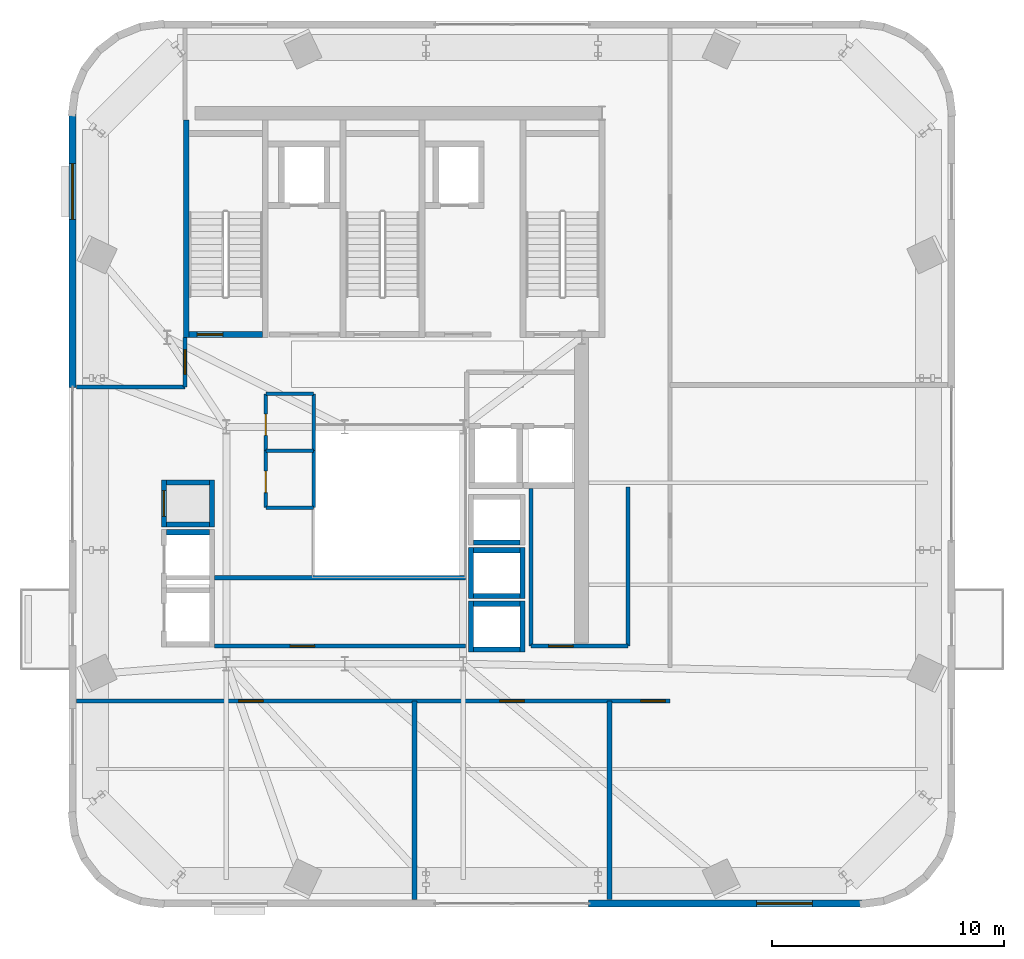
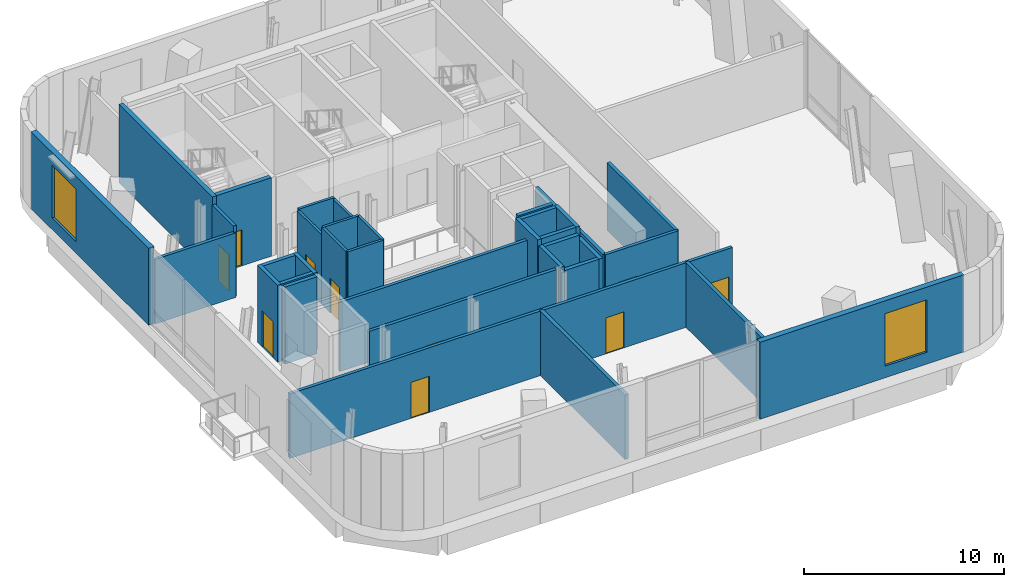
# One storey, part 6 of 11: 35 walls, 10 doors, 2 windows, 12 openings.
"""IFC4 building model written with IfcOpenShell, lengths in metres."""

from ifc_helpers import new_model, si_unit, direction, frame, frame_2d, origin, place, context, subcontext, project, spatial, rectangle, extrude, source, transform, mapped, material, layer, layer_set, type_object, element, fill, save


model = new_model("IFC4")

# Units and contexts
model_context = context("Model", 3, precision=1e-05, world=origin(), true_north=direction((0.0, 1.0)))
body_context = subcontext(model_context, "Body", "Model", "MODEL_VIEW")
ifc_project = project(units=[si_unit("LENGTHUNIT", "METRE"), si_unit("AREAUNIT", "SQUARE_METRE"), si_unit("VOLUMEUNIT", "CUBIC_METRE"), si_unit("PLANEANGLEUNIT", "RADIAN"), si_unit("MASSUNIT", "GRAM", prefix="KILO")], contexts=[model_context])

# Site, building, storey
site_placement = place(None, origin())
site = spatial("IfcSite", under=ifc_project, at=site_placement, CompositionType="ELEMENT")
building_placement = place(site_placement, origin())
building = spatial("IfcBuilding", under=site, at=building_placement, Name="Vardaveli Station Tower", CompositionType="ELEMENT")
storey_placement = place(building_placement, frame((0.0, 0.0, 286.14990234375)))
storey = spatial("IfcBuildingStorey", under=building, at=storey_placement, Name="L73", CompositionType="ELEMENT", Elevation=286.14990234375)

# Wall, opening, window
ifc_material_1 = material(Name="Precast concrete C45/55", Category="concrete")
ifc_layer_1 = layer(ifc_material_1, 0.320068359375, Name="Precast concrete C45/55")
ifc_layer_set_1 = layer_set([ifc_layer_1], Name="Precast concrete C45/55")
wall_type_1 = type_object("IfcWallType", Name="WAL-EXT-STONE-320", PredefinedType="SOLIDWALL", material=ifc_layer_set_1)
shared_shape_1 = source(origin(), body_context, "Body", "SweptSolid", [
    extrude(rectangle(XDim=11.77294921875, YDim=0.320068359375, at=frame_2d((5.886474609375, 0.0))), origin(), (0.0, 0.0, 1.0), 4.7001953125),
])
wall_1_placement = place(storey_placement, frame((46.800048828125, 6.280029296875, 0.0), z_axis=(0.0, 0.0, 1.0), x_axis=(1.0, 0.0, 0.0)))
wall_1 = element("IfcWall", 1, at=wall_1_placement, inside=storey, type_object=wall_type_1, Name="EW-L73-S2", PredefinedType="SOLIDWALL", context=body_context, shape_type="MappedRepresentation", body=[
    mapped(shared_shape_1, transform((0.0, 0.0, 0.0), scale=1.0)),
])
shared_shape_2 = source(origin(), body_context, "Body", "SweptSolid", [
    extrude(rectangle(XDim=2.39990234375, YDim=3.199951171875, at=frame_2d((1.199951171875, 1.60009765625))), frame((0.0, 0.169921875, 0.0), z_axis=(0.0, -1.0, 0.0), x_axis=(1.0, 0.0, 0.0)), (0.0, 0.0, 1.0), 0.340087890625),
])
opening_1_placement = place(wall_1_placement, frame((7.2333984375, 0.0, 0.719970703125)))
opening_1 = element("IfcOpeningElement", 2, at=opening_1_placement, cuts=wall_1, Name="Opening W-06", PredefinedType="OPENING", context=body_context, shape_type="MappedRepresentation", body=[
    mapped(shared_shape_2, transform((0.0, 0.0, 0.0), scale=1.0)),
])
ifc_material_2 = material(Name="Low-iron tempered belvedere glass", Category="glass")
window_type = type_object("IfcWindowType", Name="WIN-OBS-2400x3200", PartitioningType="SINGLE_PANEL", PredefinedType="WINDOW", material=ifc_material_2)
shared_shape_3 = source(origin(), body_context, "Body", "SweptSolid", [
    extrude(rectangle(XDim=2.39990234375, YDim=3.199951171875, at=frame_2d((1.199951171875, 1.60009765625))), frame((0.0, 0.030029296875, 0.0), z_axis=(0.0, -1.0, 0.0), x_axis=(1.0, 0.0, 0.0)), (0.0, 0.0, 1.0), 0.06005859375),
])
window_1_placement = place(opening_1_placement, origin())
window_1 = element("IfcWindow", 3, at=window_1_placement, inside=storey, type_object=window_type, Name="WN-L73-S2", OverallHeight=3.199951171875, OverallWidth=2.39990234375, PartitioningType="SINGLE_PANEL", PredefinedType="WINDOW", context=body_context, shape_type="MappedRepresentation", body=[
    mapped(shared_shape_3, transform((0.0, 0.0, 0.0), scale=1.0)),
])
fill(opening_1, window_1)

wall_2_placement = place(storey_placement, frame((24.580078125, 40.27294921875, 0.0), z_axis=(0.0, 0.0, 1.0), x_axis=(0.0, -1.0, 0.0)))
wall_2 = element("IfcWall", 4, at=wall_2_placement, inside=storey, type_object=wall_type_1, Name="EW-L73-W1", PredefinedType="SOLIDWALL", context=body_context, shape_type="MappedRepresentation", body=[
    mapped(shared_shape_1, transform((0.0, 0.0, 0.0), scale=1.0)),
])
opening_2_placement = place(wall_2_placement, frame((2.1396484375, 0.0, 0.719970703125)))
opening_2 = element("IfcOpeningElement", 5, at=opening_2_placement, cuts=wall_2, Name="Opening W-06", PredefinedType="OPENING", context=body_context, shape_type="MappedRepresentation", body=[
    mapped(shared_shape_2, transform((0.0, 0.0, 0.0), scale=1.0)),
])
window_2_placement = place(opening_2_placement, origin())
window_2 = element("IfcWindow", 6, at=window_2_placement, inside=storey, type_object=window_type, Name="WN-L73-W1", OverallHeight=3.199951171875, OverallWidth=2.39990234375, PartitioningType="SINGLE_PANEL", PredefinedType="WINDOW", context=body_context, shape_type="MappedRepresentation", body=[
    mapped(shared_shape_3, transform((0.0, 0.0, 0.0), scale=1.0)),
])
fill(opening_2, window_2)

# Wall, opening, door
ifc_material_3 = material(Name="Concrete C40/50", Category="concrete")
ifc_layer_2 = layer(ifc_material_3, 0.25, Name="Concrete C40/50")
ifc_layer_set_2 = layer_set([ifc_layer_2], Name="Concrete C40/50")
wall_type_2 = type_object("IfcWallType", Name="WAL-SHAFT-250", PredefinedType="SOLIDWALL", material=ifc_layer_set_2)
shared_shape_4 = source(origin(), body_context, "Body", "SweptSolid", [
    extrude(rectangle(XDim=3.14990234375, YDim=0.25, at=frame_2d((1.574951171875, 0.0))), origin(), (0.0, 0.0, 1.0), 4.800048828125),
])
wall_3_placement = place(storey_placement, frame((29.60009765625, 30.77490234375, 0.0), z_axis=(0.0, 0.0, 1.0), x_axis=(1.0, 0.0, 0.0)))
wall_3 = element("IfcWall", 7, at=wall_3_placement, inside=storey, type_object=wall_type_2, Name="W-L73-ST-1S", PredefinedType="SOLIDWALL", context=body_context, shape_type="MappedRepresentation", body=[
    mapped(shared_shape_4, transform((0.0, 0.0, 0.0), scale=1.0)),
])
shared_shape_5 = source(origin(), body_context, "Body", "SweptSolid", [
    extrude(rectangle(XDim=1.10009765625, YDim=2.199951171875, at=frame_2d((0.550048828125, 1.10009765625))), frame((0.0, 0.135009765625, 0.0), z_axis=(0.0, -1.0, 0.0), x_axis=(1.0, 0.0, 0.0)), (0.0, 0.0, 1.0), 0.27001953125),
])
opening_3_placement = place(wall_3_placement, frame((0.35009765625, 0.0, 0.0)))
opening_3 = element("IfcOpeningElement", 8, at=opening_3_placement, cuts=wall_3, Name="Opening D-04", PredefinedType="OPENING", context=body_context, shape_type="MappedRepresentation", body=[
    mapped(shared_shape_5, transform((0.0, 0.0, 0.0), scale=1.0)),
])
ifc_material_4 = material(Name="Steel smokeproof fire doorset", Category="steel")
door_type_1 = type_object("IfcDoorType", Name="DR-ST-1100x2200", OperationType="NOTDEFINED", PredefinedType="DOOR", material=ifc_material_4)
shared_shape_6 = source(origin(), body_context, "Body", "SweptSolid", [
    extrude(rectangle(XDim=1.10009765625, YDim=2.199951171875, at=frame_2d((0.550048828125, 1.10009765625))), frame((0.0, 0.02490234375, 0.0), z_axis=(0.0, -1.0, 0.0), x_axis=(1.0, 0.0, 0.0)), (0.0, 0.0, 1.0), 0.050048828125),
])
door_1_placement = place(opening_3_placement, origin())
door_1 = element("IfcDoor", 9, at=door_1_placement, inside=storey, type_object=door_type_1, Name="DST-1-L73", OperationType="SINGLE_SWING_LEFT", OverallHeight=2.199951171875, OverallWidth=1.10009765625, PredefinedType="DOOR", context=body_context, shape_type="MappedRepresentation", body=[
    mapped(shared_shape_6, transform((0.0, 0.0, 0.0), scale=1.0)),
])
fill(opening_3, door_1)

# Walls
shared_shape_7 = source(origin(), body_context, "Body", "SweptSolid", [
    extrude(rectangle(XDim=9.35009765625, YDim=0.25, at=frame_2d((4.675048828125, 0.0))), origin(), (0.0, 0.0, 1.0), 4.800048828125),
])
wall_4_placement = place(storey_placement, frame((29.47509765625, 30.64990234375, 0.0), z_axis=(0.0, 0.0, 1.0), x_axis=(0.0, 1.0, 0.0)))
element("IfcWall", 10, at=wall_4_placement, inside=storey, type_object=wall_type_2, Name="W-L73-ST-1W", PredefinedType="SOLIDWALL", context=body_context, shape_type="MappedRepresentation", body=[
    mapped(shared_shape_7, transform((0.0, 0.0, 0.0), scale=1.0)),
])
ifc_layer_3 = layer(ifc_material_3, 0.219970703125, Name="Concrete C40/50")
ifc_layer_set_3 = layer_set([ifc_layer_3], Name="Concrete C40/50")
wall_type_3 = type_object("IfcWallType", Name="WAL-FFLOBBY-220", PredefinedType="SOLIDWALL", material=ifc_layer_set_3)
shared_shape_8 = source(origin(), body_context, "Body", "SweptSolid", [
    extrude(rectangle(XDim=2.0, YDim=0.219970703125, at=frame_2d((1.0, 0.0))), origin(), (0.0, 0.0, 1.0), 4.7001953125),
])
for number, where, z_axis, x_axis, name in (
    (11, (41.85009765625, 21.81494140625, 0.0), (0.0, 0.0, 1.0), (1.0, 0.0, 0.0), "SHW-HL3-01-L73-S"),
    (12, (41.85009765625, 19.514892578125, 0.0), (0.0, 0.0, 1.0), (1.0, 0.0, 0.0), "SHW-HL3-02-L73-S"),
    (13, (41.85009765625, 21.485107421875, 0.0), (0.0, 0.0, 1.0), (1.0, 0.0, 0.0), "SHW-HL3-02-L73-N"),
):
    element("IfcWall", number, at=place(storey_placement, frame(where, z_axis=z_axis, x_axis=x_axis)), inside=storey, type_object=wall_type_3, Name=name, PredefinedType="SOLIDWALL", context=body_context, shape_type="MappedRepresentation", body=[
        mapped(shared_shape_8, transform((0.0, 0.0, 0.0), scale=1.0)),
    ])
shared_shape_9 = source(origin(), body_context, "Body", "SweptSolid", [
    extrude(rectangle(XDim=2.18994140625, YDim=0.219970703125, at=frame_2d((1.094970703125, 0.0))), origin(), (0.0, 0.0, 1.0), 4.422119140625),
])
wall_5_placement = place(storey_placement, frame((41.739990234375, 17.10498046875, 0.0), z_axis=(0.0, 0.0, 1.0), x_axis=(0.0, 1.0, 0.0)))
element("IfcWall", 14, at=wall_5_placement, inside=storey, type_object=wall_type_3, Name="SHW-HL3-03-L73-W", PredefinedType="SOLIDWALL", context=body_context, shape_type="MappedRepresentation", body=[
    mapped(shared_shape_9, transform((0.0, 0.0, 0.0), scale=1.0)),
])
shared_shape_10 = source(origin(), body_context, "Body", "SweptSolid", [
    extrude(rectangle(XDim=2.18994140625, YDim=0.219970703125, at=frame_2d((1.094970703125, 0.0))), origin(), (0.0, 0.0, 1.0), 4.7001953125),
])
for number, where, z_axis, x_axis, name in (
    (15, (41.739990234375, 19.405029296875, 0.0), (0.0, 0.0, 1.0), (0.0, 1.0, 0.0), "SHW-HL3-02-L73-W"),
    (16, (43.9599609375, 19.405029296875, 0.0), (0.0, 0.0, 1.0), (0.0, 1.0, 0.0), "SHW-HL3-02-L73-E"),
):
    element("IfcWall", number, at=place(storey_placement, frame(where, z_axis=z_axis, x_axis=x_axis)), inside=storey, type_object=wall_type_3, Name=name, PredefinedType="SOLIDWALL", context=body_context, shape_type="MappedRepresentation", body=[
        mapped(shared_shape_10, transform((0.0, 0.0, 0.0), scale=1.0)),
    ])
shared_shape_11 = source(origin(), body_context, "Body", "SweptSolid", [
    extrude(rectangle(XDim=2.0, YDim=0.219970703125, at=frame_2d((1.0, 0.0))), origin(), (0.0, 0.0, 1.0), 4.14208984375),
])
wall_6_placement = place(storey_placement, frame((41.85009765625, 17.215087890625, 0.0), z_axis=(0.0, 0.0, 1.0), x_axis=(1.0, 0.0, 0.0)))
element("IfcWall", 17, at=wall_6_placement, inside=storey, type_object=wall_type_3, Name="SHW-HL3-03-L73-S", PredefinedType="SOLIDWALL", context=body_context, shape_type="MappedRepresentation", body=[
    mapped(shared_shape_11, transform((0.0, 0.0, 0.0), scale=1.0)),
])
shared_shape_12 = source(origin(), body_context, "Body", "SweptSolid", [
    extrude(rectangle(XDim=2.0, YDim=0.219970703125, at=frame_2d((1.0, 0.0))), origin(), (0.0, 0.0, 1.0), 4.422119140625),
])
wall_7_placement = place(storey_placement, frame((41.85009765625, 19.18505859375, 0.0), z_axis=(0.0, 0.0, 1.0), x_axis=(1.0, 0.0, 0.0)))
element("IfcWall", 18, at=wall_7_placement, inside=storey, type_object=wall_type_3, Name="SHW-HL3-03-L73-N", PredefinedType="SOLIDWALL", context=body_context, shape_type="MappedRepresentation", body=[
    mapped(shared_shape_12, transform((0.0, 0.0, 0.0), scale=1.0)),
])
shared_shape_13 = source(origin(), body_context, "Body", "SweptSolid", [
    extrude(rectangle(XDim=2.18994140625, YDim=0.219970703125, at=frame_2d((1.094970703125, 0.0))), origin(), (0.0, 0.0, 1.0), 4.14208984375),
])
wall_8_placement = place(storey_placement, frame((43.9599609375, 17.10498046875, 0.0), z_axis=(0.0, 0.0, 1.0), x_axis=(0.0, 1.0, 0.0)))
element("IfcWall", 19, at=wall_8_placement, inside=storey, type_object=wall_type_3, Name="SHW-HL3-03-L73-E", PredefinedType="SOLIDWALL", context=body_context, shape_type="MappedRepresentation", body=[
    mapped(shared_shape_13, transform((0.0, 0.0, 0.0), scale=1.0)),
])
shared_shape_14 = source(origin(), body_context, "Body", "SweptSolid", [
    extrude(rectangle(XDim=1.85009765625, YDim=0.219970703125, at=frame_2d((0.925048828125, 0.0))), origin(), (0.0, 0.0, 1.0), 4.7001953125),
])
for number, where, z_axis, x_axis, name in (
    (20, (28.625, 22.260009765625, 0.0), (0.0, 0.0, 1.0), (1.0, 0.0, 0.0), "SHW-OBS-02-L73-N"),
    (21, (28.625, 22.590087890625, 0.0), (0.0, 0.0, 1.0), (1.0, 0.0, 0.0), "SHW-CRN-01-L73-S"),
    (22, (28.625, 24.409912109375, 0.0), (0.0, 0.0, 1.0), (1.0, 0.0, 0.0), "SHW-CRN-01-L73-N"),
):
    element("IfcWall", number, at=place(storey_placement, frame(where, z_axis=z_axis, x_axis=x_axis)), inside=storey, type_object=wall_type_3, Name=name, PredefinedType="SOLIDWALL", context=body_context, shape_type="MappedRepresentation", body=[
        mapped(shared_shape_14, transform((0.0, 0.0, 0.0), scale=1.0)),
    ])

# Wall, opening, door
shared_shape_15 = source(origin(), body_context, "Body", "SweptSolid", [
    extrude(rectangle(XDim=2.0400390625, YDim=0.219970703125, at=frame_2d((1.02001953125, 0.0))), origin(), (0.0, 0.0, 1.0), 4.7001953125),
])
wall_9_placement = place(storey_placement, frame((28.514892578125, 22.47998046875, 0.0), z_axis=(0.0, 0.0, 1.0), x_axis=(0.0, 1.0, 0.0)))
wall_9 = element("IfcWall", 23, at=wall_9_placement, inside=storey, type_object=wall_type_3, Name="SHW-CRN-01-L73-W", PredefinedType="SOLIDWALL", context=body_context, shape_type="MappedRepresentation", body=[
    mapped(shared_shape_15, transform((0.0, 0.0, 0.0), scale=1.0)),
])
shared_shape_16 = source(origin(), body_context, "Body", "SweptSolid", [
    extrude(rectangle(XDim=1.10009765625, YDim=2.199951171875, at=frame_2d((0.550048828125, 1.10009765625))), frame((0.0, 0.1201171875, 0.0), z_axis=(0.0, -1.0, 0.0), x_axis=(1.0, 0.0, 0.0)), (0.0, 0.0, 1.0), 0.239990234375),
])
opening_4_placement = place(wall_9_placement, frame((0.469970703125, 0.0, 0.0)))
opening_4 = element("IfcOpeningElement", 24, at=opening_4_placement, cuts=wall_9, Name="Opening LD-01", PredefinedType="OPENING", context=body_context, shape_type="MappedRepresentation", body=[
    mapped(shared_shape_16, transform((0.0, 0.0, 0.0), scale=1.0)),
])
ifc_material_5 = material(Name="Brushed stainless steel", Category="steel")
door_type_2 = type_object("IfcDoorType", Name="DR-LD-1100x2200", OperationType="DOUBLE_DOOR_SLIDING", PredefinedType="DOOR", material=ifc_material_5)
door_2_placement = place(opening_4_placement, origin())
door_2 = element("IfcDoor", 25, at=door_2_placement, inside=storey, type_object=door_type_2, Name="LD-CRN-01-L73", OperationType="DOUBLE_DOOR_SLIDING", OverallHeight=2.199951171875, OverallWidth=1.10009765625, PredefinedType="DOOR", context=body_context, shape_type="MappedRepresentation", body=[
    mapped(shared_shape_6, transform((0.0, 0.0, 0.0), scale=1.0)),
])
fill(opening_4, door_2)

# Wall
wall_10_placement = place(storey_placement, frame((30.5849609375, 22.47998046875, 0.0), z_axis=(0.0, 0.0, 1.0), x_axis=(0.0, 1.0, 0.0)))
element("IfcWall", 26, at=wall_10_placement, inside=storey, type_object=wall_type_3, Name="SHW-CRN-01-L73-E", PredefinedType="SOLIDWALL", context=body_context, shape_type="MappedRepresentation", body=[
    mapped(shared_shape_15, transform((0.0, 0.0, 0.0), scale=1.0)),
])

# Wall, openings, doors
ifc_material_6 = material(Name="Fire-rated gypsum stud partition")
ifc_layer_4 = layer(ifc_material_6, 0.179931640625, Name="Fire-rated gypsum stud partition")
ifc_layer_set_4 = layer_set([ifc_layer_4], Name="Fire-rated gypsum stud partition")
wall_type_4 = type_object("IfcWallType", Name="WAL-CORR-180", PredefinedType="PARTITIONING", material=ifc_layer_set_4)
shared_shape_17 = source(origin(), body_context, "Body", "SweptSolid", [
    extrude(rectangle(XDim=25.55810546875, YDim=0.179931640625, at=frame_2d((12.779052734375, 0.0))), origin(), (0.0, 0.0, 1.0), 3.942138671875),
])
wall_11_placement = place(storey_placement, frame((24.741943359375, 15.0, 0.0), z_axis=(0.0, 0.0, 1.0), x_axis=(1.0, 0.0, 0.0)))
wall_11 = element("IfcWall", 27, at=wall_11_placement, inside=storey, type_object=wall_type_4, Name="W-L73-CS", PredefinedType="PARTITIONING", context=body_context, shape_type="MappedRepresentation", body=[
    mapped(shared_shape_17, transform((0.0, 0.0, 0.0), scale=1.0)),
])
shared_shape_18 = source(origin(), body_context, "Body", "SweptSolid", [
    extrude(rectangle(XDim=1.050048828125, YDim=2.199951171875, at=frame_2d((0.52490234375, 1.10009765625))), frame((0.0, 0.10009765625, 0.0), z_axis=(0.0, -1.0, 0.0), x_axis=(1.0, 0.0, 0.0)), (0.0, 0.0, 1.0), 0.199951171875),
])
opening_5_placement = place(wall_11_placement, frame((6.992919921875, 0.0, 0.0)))
opening_5 = element("IfcOpeningElement", 28, at=opening_5_placement, cuts=wall_11, Name="Opening D-05", PredefinedType="OPENING", context=body_context, shape_type="MappedRepresentation", body=[
    mapped(shared_shape_18, transform((0.0, 0.0, 0.0), scale=1.0)),
])
opening_6_placement = place(wall_11_placement, frame((18.238037109375, 0.0, 0.0)))
opening_6 = element("IfcOpeningElement", 29, at=opening_6_placement, cuts=wall_11, Name="Opening D-05", PredefinedType="OPENING", context=body_context, shape_type="MappedRepresentation", body=[
    mapped(shared_shape_18, transform((0.0, 0.0, 0.0), scale=1.0)),
])
opening_7_placement = place(wall_11_placement, frame((24.30810546875, 0.0, 0.0)))
opening_7 = element("IfcOpeningElement", 30, at=opening_7_placement, cuts=wall_11, Name="Opening D-05", PredefinedType="OPENING", context=body_context, shape_type="MappedRepresentation", body=[
    mapped(shared_shape_18, transform((0.0, 0.0, 0.0), scale=1.0)),
])
ifc_material_7 = material(Name="Walnut veneer acoustic fire door")
door_type_3 = type_object("IfcDoorType", Name="DR-SUITE-1050x2200", OperationType="NOTDEFINED", PredefinedType="DOOR", material=ifc_material_7)
shared_shape_19 = source(origin(), body_context, "Body", "SweptSolid", [
    extrude(rectangle(XDim=1.050048828125, YDim=2.199951171875, at=frame_2d((0.52490234375, 1.10009765625))), frame((0.0, 0.02490234375, 0.0), z_axis=(0.0, -1.0, 0.0), x_axis=(1.0, 0.0, 0.0)), (0.0, 0.0, 1.0), 0.050048828125),
])
door_3_placement = place(opening_5_placement, origin())
door_3 = element("IfcDoor", 31, at=door_3_placement, inside=storey, type_object=door_type_3, Name="D-L73-OB1", OperationType="SINGLE_SWING_RIGHT", OverallHeight=2.199951171875, OverallWidth=1.050048828125, PredefinedType="DOOR", context=body_context, shape_type="MappedRepresentation", body=[
    mapped(shared_shape_19, transform((0.0, 0.0, 0.0), scale=1.0)),
])
fill(opening_5, door_3)
door_4_placement = place(opening_6_placement, origin())
door_4 = element("IfcDoor", 32, at=door_4_placement, inside=storey, type_object=door_type_3, Name="D-L73-OB2", OperationType="SINGLE_SWING_LEFT", OverallHeight=2.199951171875, OverallWidth=1.050048828125, PredefinedType="DOOR", context=body_context, shape_type="MappedRepresentation", body=[
    mapped(shared_shape_19, transform((0.0, 0.0, 0.0), scale=1.0)),
])
fill(opening_6, door_4)
door_5_placement = place(opening_7_placement, origin())
door_5 = element("IfcDoor", 33, at=door_5_placement, inside=storey, type_object=door_type_3, Name="D-L73-OB3", OperationType="SINGLE_SWING_RIGHT", OverallHeight=2.199951171875, OverallWidth=1.050048828125, PredefinedType="DOOR", context=body_context, shape_type="MappedRepresentation", body=[
    mapped(shared_shape_19, transform((0.0, 0.0, 0.0), scale=1.0)),
])
fill(opening_7, door_5)

# Wall, opening, door
shared_shape_20 = source(origin(), body_context, "Body", "SweptSolid", [
    extrude(rectangle(XDim=2.1298828125, YDim=0.179931640625, at=frame_2d((1.06494140625, 0.0))), origin(), (0.0, 0.0, 1.0), 4.33203125),
])
wall_12_placement = place(storey_placement, frame((29.419921875, 28.52001953125, 0.0), z_axis=(0.0, 0.0, 1.0), x_axis=(0.0, 1.0, 0.0)))
wall_12 = element("IfcWall", 34, at=wall_12_placement, inside=storey, type_object=wall_type_4, Name="W-L73-OBNW-E-P1", PredefinedType="PARTITIONING", context=body_context, shape_type="MappedRepresentation", body=[
    mapped(shared_shape_20, transform((0.0, 0.0, 0.0), scale=1.0)),
])
opening_8_placement = place(wall_12_placement, frame((0.550048828125, 0.0, 0.0)))
opening_8 = element("IfcOpeningElement", 35, at=opening_8_placement, cuts=wall_12, Name="Opening D-05", PredefinedType="OPENING", context=body_context, shape_type="MappedRepresentation", body=[
    mapped(shared_shape_18, transform((0.0, 0.0, 0.0), scale=1.0)),
])
door_6_placement = place(opening_8_placement, origin())
door_6 = element("IfcDoor", 36, at=door_6_placement, inside=storey, type_object=door_type_3, Name="D-L73-OBNW", OperationType="SINGLE_SWING_LEFT", OverallHeight=2.199951171875, OverallWidth=1.050048828125, PredefinedType="DOOR", context=body_context, shape_type="MappedRepresentation", body=[
    mapped(shared_shape_19, transform((0.0, 0.0, 0.0), scale=1.0)),
])
fill(opening_8, door_6)

shared_shape_21 = source(origin(), body_context, "Body", "SweptSolid", [
    extrude(rectangle(XDim=10.802978515625, YDim=0.179931640625, at=frame_2d((5.4013671875, 0.0))), origin(), (0.0, 0.0, 1.0), 4.2421875),
])
wall_13_placement = place(storey_placement, frame((30.697021484375, 17.360107421875, 0.0), z_axis=(0.0, 0.0, 1.0), x_axis=(1.0, 0.0, 0.0)))
wall_13 = element("IfcWall", 37, at=wall_13_placement, inside=storey, type_object=wall_type_4, Name="W-L73-OBSA-S", PredefinedType="PARTITIONING", context=body_context, shape_type="MappedRepresentation", body=[
    mapped(shared_shape_21, transform((0.0, 0.0, 0.0), scale=1.0)),
])
opening_9_placement = place(wall_13_placement, frame((3.2529296875, 0.0, 0.0)))
opening_9 = element("IfcOpeningElement", 38, at=opening_9_placement, cuts=wall_13, Name="Opening D-05", PredefinedType="OPENING", context=body_context, shape_type="MappedRepresentation", body=[
    mapped(shared_shape_18, transform((0.0, 0.0, 0.0), scale=1.0)),
])
door_7_placement = place(opening_9_placement, origin())
door_7 = element("IfcDoor", 39, at=door_7_placement, inside=storey, type_object=door_type_3, Name="D-L73-OBSA", OperationType="SINGLE_SWING_RIGHT", OverallHeight=2.199951171875, OverallWidth=1.050048828125, PredefinedType="DOOR", context=body_context, shape_type="MappedRepresentation", body=[
    mapped(shared_shape_19, transform((0.0, 0.0, 0.0), scale=1.0)),
])
fill(opening_9, door_7)

# Wall
wall_14_placement = place(storey_placement, frame((30.697021484375, 20.300048828125, 0.0), z_axis=(0.0, 0.0, 1.0), x_axis=(1.0, 0.0, 0.0)))
element("IfcWall", 40, at=wall_14_placement, inside=storey, type_object=wall_type_4, Name="W-L73-OBSA-N-P2", PredefinedType="PARTITIONING", context=body_context, shape_type="MappedRepresentation", body=[
    mapped(shared_shape_21, transform((0.0, 0.0, 0.0), scale=1.0)),
])

# Wall, opening, door
shared_shape_22 = source(origin(), body_context, "Body", "SweptSolid", [
    extrude(rectangle(XDim=4.179931640625, YDim=0.179931640625, at=frame_2d((2.08984375, 0.0))), origin(), (0.0, 0.0, 1.0), 4.14208984375),
])
wall_15_placement = place(storey_placement, frame((44.320068359375, 17.360107421875, 0.0), z_axis=(0.0, 0.0, 1.0), x_axis=(1.0, 0.0, 0.0)))
wall_15 = element("IfcWall", 41, at=wall_15_placement, inside=storey, type_object=wall_type_4, Name="W-L73-OBEA-S", PredefinedType="PARTITIONING", context=body_context, shape_type="MappedRepresentation", body=[
    mapped(shared_shape_22, transform((0.0, 0.0, 0.0), scale=1.0)),
])
opening_10_placement = place(wall_15_placement, frame((0.760009765625, 0.0, 0.0)))
opening_10 = element("IfcOpeningElement", 42, at=opening_10_placement, cuts=wall_15, Name="Opening D-05", PredefinedType="OPENING", context=body_context, shape_type="MappedRepresentation", body=[
    mapped(shared_shape_18, transform((0.0, 0.0, 0.0), scale=1.0)),
])
door_8_placement = place(opening_10_placement, origin())
door_8 = element("IfcDoor", 43, at=door_8_placement, inside=storey, type_object=door_type_3, Name="D-L73-OBEA", OperationType="SINGLE_SWING_RIGHT", OverallHeight=2.199951171875, OverallWidth=1.050048828125, PredefinedType="DOOR", context=body_context, shape_type="MappedRepresentation", body=[
    mapped(shared_shape_19, transform((0.0, 0.0, 0.0), scale=1.0)),
])
fill(opening_10, door_8)

ifc_material_8 = material(Name="Moisture-resistant stud partition")
ifc_layer_5 = layer(ifc_material_8, 0.14990234375, Name="Moisture-resistant stud partition")
ifc_layer_set_5 = layer_set([ifc_layer_5], Name="Moisture-resistant stud partition")
wall_type_5 = type_object("IfcWallType", Name="WAL-WET-150", PredefinedType="PARTITIONING", material=ifc_layer_set_5)
shared_shape_23 = source(origin(), body_context, "Body", "SweptSolid", [
    extrude(rectangle(XDim=2.4599609375, YDim=0.14990234375, at=frame_2d((1.22998046875, 0.0))), origin(), (0.0, 0.0, 1.0), 4.7001953125),
])
wall_16_placement = place(storey_placement, frame((32.89990234375, 23.320068359375, 0.0), z_axis=(0.0, 0.0, 1.0), x_axis=(0.0, 1.0, 0.0)))
wall_16 = element("IfcWall", 44, at=wall_16_placement, inside=storey, type_object=wall_type_5, Name="W-L73-WCF-W", PredefinedType="PARTITIONING", context=body_context, shape_type="MappedRepresentation", body=[
    mapped(shared_shape_23, transform((0.0, 0.0, 0.0), scale=1.0)),
])
shared_shape_24 = source(origin(), body_context, "Body", "SweptSolid", [
    extrude(rectangle(XDim=0.919921875, YDim=2.10009765625, at=frame_2d((0.4599609375, 1.050048828125))), frame((0.0, 0.0849609375, 0.0), z_axis=(0.0, -1.0, 0.0), x_axis=(1.0, 0.0, 0.0)), (0.0, 0.0, 1.0), 0.169921875),
])
opening_11_placement = place(wall_16_placement, frame((0.64990234375, 0.0, 0.0)))
opening_11 = element("IfcOpeningElement", 45, at=opening_11_placement, cuts=wall_16, Name="Opening D-07", PredefinedType="OPENING", context=body_context, shape_type="MappedRepresentation", body=[
    mapped(shared_shape_24, transform((0.0, 0.0, 0.0), scale=1.0)),
])
ifc_material_9 = material(Name="Moisture-resistant hardwood door", Category="wood")
door_type_4 = type_object("IfcDoorType", Name="DR-WC-920x2100", OperationType="NOTDEFINED", PredefinedType="DOOR", material=ifc_material_9)
shared_shape_25 = source(origin(), body_context, "Body", "SweptSolid", [
    extrude(rectangle(XDim=0.919921875, YDim=2.10009765625, at=frame_2d((0.4599609375, 1.050048828125))), frame((0.0, 0.02490234375, 0.0), z_axis=(0.0, -1.0, 0.0), x_axis=(1.0, 0.0, 0.0)), (0.0, 0.0, 1.0), 0.050048828125),
])
door_9_placement = place(opening_11_placement, origin())
door_9 = element("IfcDoor", 46, at=door_9_placement, inside=storey, type_object=door_type_4, Name="D-L73-WCF", OperationType="SINGLE_SWING_LEFT", OverallHeight=2.10009765625, OverallWidth=0.919921875, PredefinedType="DOOR", context=body_context, shape_type="MappedRepresentation", body=[
    mapped(shared_shape_25, transform((0.0, 0.0, 0.0), scale=1.0)),
])
fill(opening_11, door_9)

# Wall
wall_17_placement = place(storey_placement, frame((34.9599609375, 23.320068359375, 0.0), z_axis=(0.0, 0.0, 1.0), x_axis=(0.0, 1.0, 0.0)))
element("IfcWall", 47, at=wall_17_placement, inside=storey, type_object=wall_type_5, Name="W-L73-WCF-E", PredefinedType="PARTITIONING", context=body_context, shape_type="MappedRepresentation", body=[
    mapped(shared_shape_23, transform((0.0, 0.0, 0.0), scale=1.0)),
])

# Wall, opening, door
shared_shape_26 = source(origin(), body_context, "Body", "SweptSolid", [
    extrude(rectangle(XDim=2.43994140625, YDim=0.14990234375, at=frame_2d((1.219970703125, 0.0))), origin(), (0.0, 0.0, 1.0), 4.2421875),
])
wall_18_placement = place(storey_placement, frame((32.89990234375, 25.780029296875, 0.0), z_axis=(0.0, 0.0, 1.0), x_axis=(0.0, 1.0, 0.0)))
wall_18 = element("IfcWall", 48, at=wall_18_placement, inside=storey, type_object=wall_type_5, Name="W-L73-WCM-W", PredefinedType="PARTITIONING", context=body_context, shape_type="MappedRepresentation", body=[
    mapped(shared_shape_26, transform((0.0, 0.0, 0.0), scale=1.0)),
])
opening_12_placement = place(wall_18_placement, frame((0.64990234375, 0.0, 0.0)))
opening_12 = element("IfcOpeningElement", 49, at=opening_12_placement, cuts=wall_18, Name="Opening D-07", PredefinedType="OPENING", context=body_context, shape_type="MappedRepresentation", body=[
    mapped(shared_shape_24, transform((0.0, 0.0, 0.0), scale=1.0)),
])
door_10_placement = place(opening_12_placement, origin())
door_10 = element("IfcDoor", 50, at=door_10_placement, inside=storey, type_object=door_type_4, Name="D-L73-WCM", OperationType="SINGLE_SWING_RIGHT", OverallHeight=2.10009765625, OverallWidth=0.919921875, PredefinedType="DOOR", context=body_context, shape_type="MappedRepresentation", body=[
    mapped(shared_shape_25, transform((0.0, 0.0, 0.0), scale=1.0)),
])
fill(opening_12, door_10)

# Walls
wall_19_placement = place(storey_placement, frame((34.9599609375, 25.780029296875, 0.0), z_axis=(0.0, 0.0, 1.0), x_axis=(0.0, 1.0, 0.0)))
element("IfcWall", 51, at=wall_19_placement, inside=storey, type_object=wall_type_5, Name="W-L73-WCM-E", PredefinedType="PARTITIONING", context=body_context, shape_type="MappedRepresentation", body=[
    mapped(shared_shape_26, transform((0.0, 0.0, 0.0), scale=1.0)),
])
ifc_material_10 = material(Name="Acoustic twin-stud gypsum partition")
ifc_layer_6 = layer(ifc_material_10, 0.199951171875, Name="Acoustic twin-stud gypsum partition")
ifc_layer_set_6 = layer_set([ifc_layer_6], Name="Acoustic twin-stud gypsum partition")
wall_type_6 = type_object("IfcWallType", Name="WAL-PARTY-200", PredefinedType="PARTITIONING", material=ifc_layer_set_6)
shared_shape_27 = source(origin(), body_context, "Body", "SweptSolid", [
    extrude(rectangle(XDim=8.55810546875, YDim=0.199951171875, at=frame_2d((4.279052734375, 0.0))), origin(), (0.0, 0.0, 1.0), 3.942138671875),
])
for number, where, z_axis, x_axis, name in (
    (52, (39.300048828125, 6.44189453125, 0.0), (0.0, 0.0, 1.0), (0.0, 1.0, 0.0), "W-L73-SM1"),
    (53, (47.699951171875, 6.44189453125, 0.0), (0.0, 0.0, 1.0), (0.0, 1.0, 0.0), "W-L73-SM2"),
):
    element("IfcWall", number, at=place(storey_placement, frame(where, z_axis=z_axis, x_axis=x_axis)), inside=storey, type_object=wall_type_6, Name=name, PredefinedType="PARTITIONING", context=body_context, shape_type="MappedRepresentation", body=[
        mapped(shared_shape_27, transform((0.0, 0.0, 0.0), scale=1.0)),
    ])
shared_shape_28 = source(origin(), body_context, "Body", "SweptSolid", [
    extrude(rectangle(XDim=6.787841796875, YDim=0.179931640625, at=frame_2d((3.39404296875, 0.0))), origin(), (0.0, 0.0, 1.0), 4.14208984375),
])
wall_20_placement = place(storey_placement, frame((44.320068359375, 17.360107421875, 0.0), z_axis=(0.0, 0.0, 1.0), x_axis=(0.0, 1.0, 0.0)))
element("IfcWall", 54, at=wall_20_placement, inside=storey, type_object=wall_type_4, Name="W-L73-OBEA-W", PredefinedType="PARTITIONING", context=body_context, shape_type="MappedRepresentation", body=[
    mapped(shared_shape_28, transform((0.0, 0.0, 0.0), scale=1.0)),
])
shared_shape_29 = source(origin(), body_context, "Body", "SweptSolid", [
    extrude(rectangle(XDim=6.83984375, YDim=0.179931640625, at=frame_2d((3.419921875, 0.0))), origin(), (0.0, 0.0, 1.0), 4.14208984375),
])
wall_21_placement = place(storey_placement, frame((48.5, 17.360107421875, 0.0), z_axis=(0.0, 0.0, 1.0), x_axis=(0.0, 1.0, 0.0)))
element("IfcWall", 55, at=wall_21_placement, inside=storey, type_object=wall_type_4, Name="W-L73-OBEA-E", PredefinedType="PARTITIONING", context=body_context, shape_type="MappedRepresentation", body=[
    mapped(shared_shape_29, transform((0.0, 0.0, 0.0), scale=1.0)),
])
shared_shape_30 = source(origin(), body_context, "Body", "SweptSolid", [
    extrude(rectangle(XDim=4.677978515625, YDim=0.179931640625, at=frame_2d((2.3388671875, 0.0))), origin(), (0.0, 0.0, 1.0), 3.942138671875),
])
wall_22_placement = place(storey_placement, frame((24.741943359375, 28.52001953125, 0.0), z_axis=(0.0, 0.0, 1.0), x_axis=(1.0, 0.0, 0.0)))
element("IfcWall", 56, at=wall_22_placement, inside=storey, type_object=wall_type_4, Name="W-L73-OBNW-S", PredefinedType="PARTITIONING", context=body_context, shape_type="MappedRepresentation", body=[
    mapped(shared_shape_30, transform((0.0, 0.0, 0.0), scale=1.0)),
])
shared_shape_31 = source(origin(), body_context, "Body", "SweptSolid", [
    extrude(rectangle(XDim=2.06005859375, YDim=0.14990234375, at=frame_2d((1.030029296875, 0.0))), origin(), (0.0, 0.0, 1.0), 4.7001953125),
])
for number, where, z_axis, x_axis, name in (
    (57, (32.89990234375, 25.780029296875, 0.0), (0.0, 0.0, 1.0), (1.0, 0.0, 0.0), "W-L73-WCM-S"),
    (58, (32.89990234375, 23.320068359375, 0.0), (0.0, 0.0, 1.0), (1.0, 0.0, 0.0), "W-L73-WCF-S"),
):
    element("IfcWall", number, at=place(storey_placement, frame(where, z_axis=z_axis, x_axis=x_axis)), inside=storey, type_object=wall_type_5, Name=name, PredefinedType="PARTITIONING", context=body_context, shape_type="MappedRepresentation", body=[
        mapped(shared_shape_31, transform((0.0, 0.0, 0.0), scale=1.0)),
    ])
shared_shape_32 = source(origin(), body_context, "Body", "SweptSolid", [
    extrude(rectangle(XDim=2.06005859375, YDim=0.14990234375, at=frame_2d((1.030029296875, 0.0))), origin(), (0.0, 0.0, 1.0), 4.33203125),
])
wall_23_placement = place(storey_placement, frame((32.89990234375, 28.219970703125, 0.0), z_axis=(0.0, 0.0, 1.0), x_axis=(1.0, 0.0, 0.0)))
element("IfcWall", 59, at=wall_23_placement, inside=storey, type_object=wall_type_5, Name="W-L73-WCM-N", PredefinedType="PARTITIONING", context=body_context, shape_type="MappedRepresentation", body=[
    mapped(shared_shape_32, transform((0.0, 0.0, 0.0), scale=1.0)),
])

save(model, "model.ifc")
